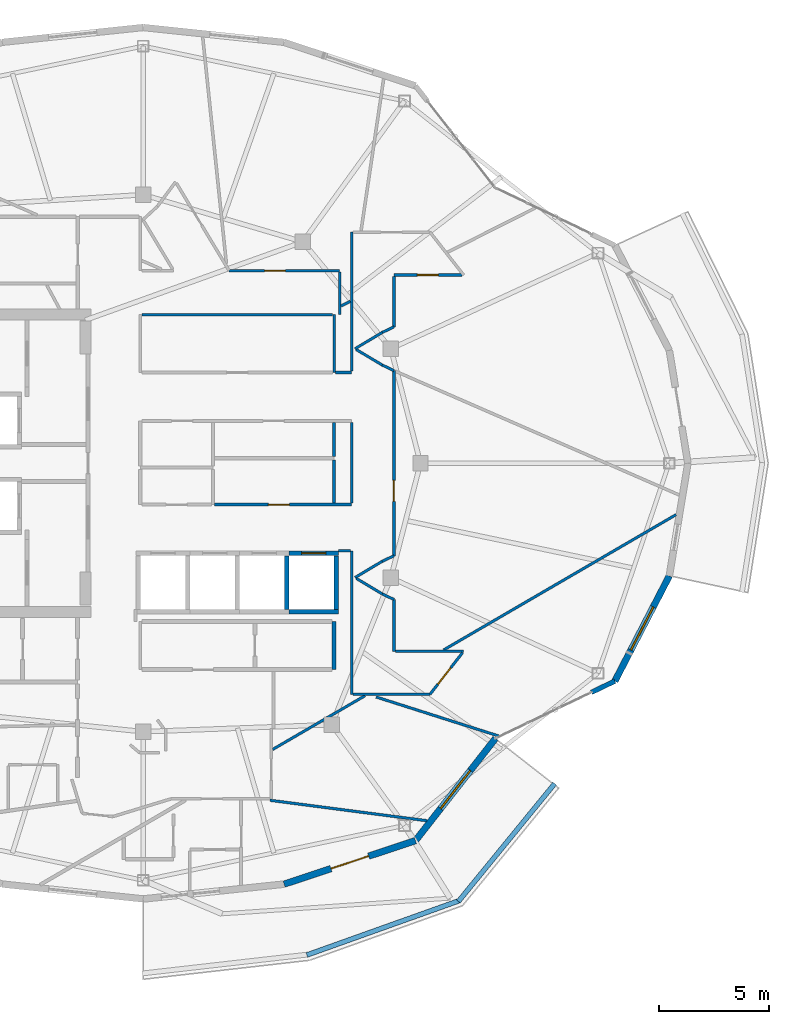
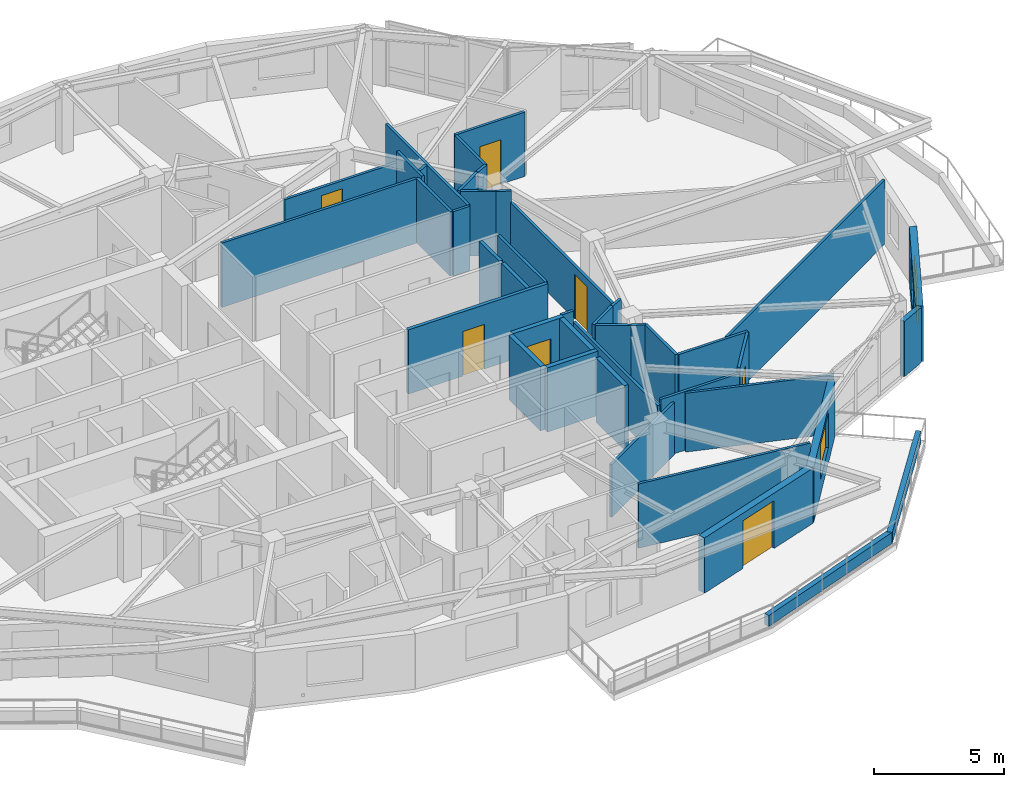
# One storey, part 9 of 14: 43 walls, 7 doors, 2 windows, 9 openings.
"""IFC4 building model written with IfcOpenShell, lengths in metres."""

import ifcopenshell
import ifcopenshell.guid

model = None  # the IFC model being written
_history = None  # IfcOwnerHistory: only IFC2X3 demands one
_inside = {}  # id of a spatial element -> (the spatial element, [elements in it])
_under = {}  # id of a project, library or spatial element -> (it, [spatial elements below it])
_declared = {}  # id of a project -> (the project, [libraries it declares])
_typed = {}  # id of a type object -> (the type object, [elements of that type])
_made_of = {}  # id of a material, layer set ... -> (it, [elements and type objects made of it])


def new_model(schema):
    """Start an empty IFC model of exactly this schema.

    Asked for "IFC4X3", IfcOpenShell would pick the latest addendum, in which some entities
    have other attributes; the version numbers below select the first issue.
    IFC2X3 requires an IfcOwnerHistory on every rooted entity: one is made here for all.
    """
    global model, _history
    if schema == "IFC4X3":
        model = ifcopenshell.file(schema_version=(4, 3, 0, 0))
    else:
        model = ifcopenshell.file(schema=schema)
    _inside.clear()
    _under.clear()
    _declared.clear()
    _typed.clear()
    _made_of.clear()
    _history = None
    if model.schema == "IFC2X3":
        org = make("IfcOrganization", Name="unknown")
        user = make(
            "IfcPersonAndOrganization",
            ThePerson=make("IfcPerson", FamilyName="unknown"),
            TheOrganization=org,
        )
        app = make(
            "IfcApplication",
            ApplicationDeveloper=org,
            Version="unknown",
            ApplicationFullName="unknown",
            ApplicationIdentifier="unknown",
        )
        _history = make(
            "IfcOwnerHistory",
            OwningUser=user,
            OwningApplication=app,
            ChangeAction="ADDED",
            CreationDate=0,
        )
    return model


def make(cls, **values):
    """One entity of the class cls with the attributes given. An attribute that is None is left unset."""
    return model.create_entity(
        cls, **{name: value for name, value in values.items() if value is not None}
    )


def rooted(cls, **values):
    """An entity with a GlobalId (a new one), such as an element, a storey or a relation."""
    return make(cls, GlobalId=ifcopenshell.guid.new(), OwnerHistory=_history, **values)


def si_unit(unit_type, name, prefix=None):
    """IfcSIUnit, for example si_unit("LENGTHUNIT", "METRE", prefix="MILLI")."""
    return make("IfcSIUnit", UnitType=unit_type, Prefix=prefix, Name=name)


def assignment(units):
    """IfcUnitAssignment: the units of a project."""
    return None if units is None else make("IfcUnitAssignment", Units=units)


def point(xyz):
    """IfcCartesianPoint."""
    return None if xyz is None else make("IfcCartesianPoint", Coordinates=xyz)


def direction(xyz):
    """IfcDirection."""
    return None if xyz is None else make("IfcDirection", DirectionRatios=xyz)


def frame(location, z_axis=None, x_axis=None):
    """IfcAxis2Placement3D, a coordinate frame: its origin and axes. An axis left out is left unset."""
    return make(
        "IfcAxis2Placement3D",
        Location=point(location),
        Axis=direction(z_axis),
        RefDirection=direction(x_axis),
    )


def frame_2d(location, x_axis=None):
    """IfcAxis2Placement2D, a coordinate frame in the plane: its origin and x axis."""
    return make(
        "IfcAxis2Placement2D", Location=point(location), RefDirection=direction(x_axis)
    )


def origin():
    """The frame at (0, 0, 0) with its axes left unset."""
    return frame((0.0, 0.0, 0.0))


def place(relative_to, where):
    """IfcLocalPlacement: puts the frame where relative to a parent placement (None: the world)."""
    return make(
        "IfcLocalPlacement", PlacementRelTo=relative_to, RelativePlacement=where
    )


def context(
    kind, dimensions, precision=None, world=None, true_north=None, identifier=None
):
    """IfcGeometricRepresentationContext, for example the 3D "Model" context."""
    return make(
        "IfcGeometricRepresentationContext",
        ContextIdentifier=identifier,
        ContextType=kind,
        CoordinateSpaceDimension=dimensions,
        Precision=precision,
        WorldCoordinateSystem=world,
        TrueNorth=true_north,
    )


def subcontext(parent, identifier, kind, view, scale=None):
    """IfcGeometricRepresentationSubContext, for example "Body" below "Model"."""
    return make(
        "IfcGeometricRepresentationSubContext",
        ContextIdentifier=identifier,
        ContextType=kind,
        ParentContext=parent,
        TargetScale=scale,
        TargetView=view,
    )


def project(units=None, contexts=None):
    """IfcProject with its units and contexts."""
    return rooted(
        "IfcProject",
        Name="project",
        RepresentationContexts=contexts,
        UnitsInContext=assignment(units),
    )


def spatial(cls, under=None, at=None, **own):
    """A site, building, storey or space (cls), placed at a placement, below another one or the project."""
    s = rooted(cls, ObjectPlacement=at, **own)
    if under is not None:
        _under.setdefault(under.id(), (under, []))[1].append(s)
    return s


def profile(cls, at=None, kind="AREA", **sizes):
    """A parametric profile (cls). Its sizes go by their IFC names, for example OverallWidth=200.0."""
    return make(cls, ProfileType=kind, Position=at, **sizes)


def rectangle(**sizes):
    """IfcRectangleProfileDef."""
    return profile("IfcRectangleProfileDef", **sizes)


def extrude(swept, where, along, depth):
    """IfcExtrudedAreaSolid: the profile swept, set in the frame where, extruded along a direction by depth."""
    return make(
        "IfcExtrudedAreaSolid",
        SweptArea=swept,
        Position=where,
        ExtrudedDirection=direction(along),
        Depth=depth,
    )


def shape(context_of_items, identifier, shape_type, items):
    """IfcShapeRepresentation: the items that make up one representation, for example the "Body"."""
    return make(
        "IfcShapeRepresentation",
        ContextOfItems=context_of_items,
        RepresentationIdentifier=identifier,
        RepresentationType=shape_type,
        Items=items,
    )


def material(Name=None, Category=None):
    """IfcMaterial."""
    return make("IfcMaterial", Name=Name, Category=Category)


def layer(
    of_material, thickness, ventilated=None, Name=None, Category=None, Priority=None
):
    """IfcMaterialLayer: one layer of a wall or slab, of a material (None: an air gap)."""
    return make(
        "IfcMaterialLayer",
        Material=of_material,
        LayerThickness=thickness,
        IsVentilated=ventilated,
        Name=Name,
        Category=Category,
        Priority=Priority,
    )


def layer_set(layers, Name=None):
    """IfcMaterialLayerSet."""
    return make("IfcMaterialLayerSet", MaterialLayers=layers, LayerSetName=Name)


def made_of(thing, what):
    """Note that an element or type object is made of a material, layer set ...; save() writes the relation."""
    if what is not None:
        _made_of.setdefault(what.id(), (what, []))[1].append(thing)
    return thing


def type_object(cls, material=None, **own):
    """A type object (cls), such as IfcWallType, which elements share."""
    return made_of(rooted(cls, **own), material)


def element(
    cls,
    number,
    at=None,
    inside=None,
    cuts=None,
    type_object=None,
    material=None,
    context=None,
    identifier="Body",
    shape_type=None,
    held_by="IfcProductDefinitionShape",
    body=None,
    shapes=None,
    **own,
):
    """One element of the class cls, such as IfcWall. Its Tag is "e" and its number.

    at: its placement. inside: the storey or other place that contains it. cuts: it is an
    opening in that element (IfcRelVoidsElement). A single representation is given by context,
    identifier, shape_type and body (its items); several are given by shapes. held_by: the class
    of the entity that holds the representations. save() writes the other relations.
    """
    e = rooted(cls, Tag="e%d" % number, ObjectPlacement=at, **own)
    if body is not None:
        shapes = [shape(context, identifier, shape_type, body)]
    if shapes is not None:
        e.Representation = make(held_by, Representations=shapes)
    if inside is not None:
        _inside.setdefault(inside.id(), (inside, []))[1].append(e)
    if cuts is not None:
        rooted(
            "IfcRelVoidsElement", RelatingBuildingElement=cuts, RelatedOpeningElement=e
        )
    if type_object is not None:
        _typed.setdefault(type_object.id(), (type_object, []))[1].append(e)
    return made_of(e, material)


def fill(opening, filler):
    """IfcRelFillsElement: the door or window that sits in an opening."""
    return rooted(
        "IfcRelFillsElement",
        RelatingOpeningElement=opening,
        RelatedBuildingElement=filler,
    )


def aggregate(whole, parts):
    """IfcRelAggregates: a whole, such as a stair, and the parts it consists of."""
    return rooted("IfcRelAggregates", RelatingObject=whole, RelatedObjects=parts)


def save(model, path):
    """Write the relations noted so far, then the file.

    IfcRelAggregates (storeys below a building ...), IfcRelContainedInSpatialStructure (elements
    in a storey), IfcRelDefinesByType, IfcRelAssociatesMaterial and IfcRelDeclares: one each for
    every whole, place, type object, material and project.
    """
    for whole, parts in _under.values():
        aggregate(whole, parts)
    for where, things in _inside.values():
        rooted(
            "IfcRelContainedInSpatialStructure",
            RelatedElements=things,
            RelatingStructure=where,
        )
    for kind, things in _typed.values():
        rooted("IfcRelDefinesByType", RelatedObjects=things, RelatingType=kind)
    for what, things in _made_of.values():
        rooted("IfcRelAssociatesMaterial", RelatedObjects=things, RelatingMaterial=what)
    for by, libraries in _declared.values():
        rooted("IfcRelDeclares", RelatingContext=by, RelatedDefinitions=libraries)
    model.write(path)


model = new_model("IFC4")

# Units and contexts
model_context = context("Model", 3, precision=1e-05, world=origin(), true_north=direction((0.0, 1.0)))
body_context = subcontext(model_context, "Body", "Model", "MODEL_VIEW")
ifc_project = project(units=[si_unit("LENGTHUNIT", "METRE"), si_unit("AREAUNIT", "SQUARE_METRE"), si_unit("VOLUMEUNIT", "CUBIC_METRE"), si_unit("PLANEANGLEUNIT", "RADIAN"), si_unit("MASSUNIT", "GRAM", prefix="KILO")], contexts=[model_context])

# Site, building, storey
site_placement = place(None, origin())
site = spatial("IfcSite", under=ifc_project, at=site_placement, CompositionType="ELEMENT")
building_placement = place(site_placement, origin())
building = spatial("IfcBuilding", under=site, at=building_placement, Name="Kolvaren Gate Tower and Convention Centre", CompositionType="ELEMENT")
storey_placement = place(building_placement, frame((0.0, 0.0, 232.699951171875)))
storey = spatial("IfcBuildingStorey", under=building, at=storey_placement, Name="L62", CompositionType="ELEMENT", Elevation=232.699951171875)

# Walls
ifc_material_1 = material(Name="Autoclaved Aerated Masonry Blockwork Class 4 (4.0 MPa)", Category="masonry")
ifc_layer_1 = layer(ifc_material_1, 0.179931640625)
ifc_layer_set_1 = layer_set([ifc_layer_1], Name="Autoclaved Aerated Masonry Blockwork Class 4 (4.0 MPa)")
wall_type_1 = type_object("IfcWallType", Name="ARCH-WL-COMP-180", PredefinedType="SOLIDWALL", material=ifc_layer_set_1)
wall_1_placement = place(storey_placement, frame((38.800048828125, 17.6201171875, 0.0), z_axis=(0.0, 0.0, 1.0), x_axis=(0.0, 1.0, 0.0)))
element("IfcWall", 1, at=wall_1_placement, inside=storey, type_object=wall_type_1, Name="Interior Partition WL-L62-INT-025", PredefinedType="SOLIDWALL", context=body_context, shape_type="SweptSolid", body=[
    extrude(rectangle(XDim=2.179931640625, YDim=0.179931640625, at=frame_2d((1.08984375, 0.0))), origin(), (0.0, 0.0, 1.0), 3.030029296875),
])
ifc_material_2 = material(Name="Fire-Rated Acoustic Gypsum Stud Partition", Category="gypsum")
ifc_layer_2 = layer(ifc_material_2, 0.1201171875)
ifc_layer_set_2 = layer_set([ifc_layer_2], Name="Fire-Rated Acoustic Gypsum Stud Partition")
wall_type_2 = type_object("IfcWallType", Name="ARCH-WL-PART-120", PredefinedType="PARTITIONING", material=ifc_layer_set_2)
wall_2_placement = place(storey_placement, frame((38.800048828125, 31.1201171875, 0.0), z_axis=(0.0, 0.0, 1.0), x_axis=(0.0, 1.0, 0.0)))
element("IfcWall", 2, at=wall_2_placement, inside=storey, type_object=wall_type_2, Name="Interior Partition WL-L62-INT-027", PredefinedType="PARTITIONING", context=body_context, shape_type="SweptSolid", body=[
    extrude(rectangle(XDim=2.6298828125, YDim=0.1201171875, at=frame_2d((1.31494140625, 0.0))), origin(), (0.0, 0.0, 1.0), 3.030029296875),
])
wall_3_placement = place(storey_placement, frame((38.862060546875, 31.1201171875, 0.0), z_axis=(0.0, 0.0, 1.0), x_axis=(1.0, 0.0, 0.0)))
element("IfcWall", 3, at=wall_3_placement, inside=storey, type_object=wall_type_2, Name="Interior Partition WL-L62-INT-028 (2)", PredefinedType="PARTITIONING", context=body_context, shape_type="SweptSolid", body=[
    extrude(rectangle(XDim=0.738037109375, YDim=0.1201171875, at=frame_2d((0.369140625, 0.0))), origin(), (0.0, 0.0, 1.0), 3.030029296875),
])
wall_4_placement = place(storey_placement, frame((30.06201171875, 33.75, 0.0), z_axis=(0.0, 0.0, 1.0), x_axis=(1.0, 0.0, 0.0)))
element("IfcWall", 4, at=wall_4_placement, inside=storey, type_object=wall_type_2, Name="Interior Partition WL-L62-INT-029", PredefinedType="PARTITIONING", context=body_context, shape_type="SweptSolid", body=[
    extrude(rectangle(XDim=8.676025390625, YDim=0.1201171875, at=frame_2d((4.337890625, 0.0))), origin(), (0.0, 0.0, 1.0), 3.030029296875),
])

# Wall, opening, door
wall_5_placement = place(storey_placement, frame((34.02490234375, 35.75, 0.0), z_axis=(0.0, 0.0, 1.0), x_axis=(1.0, 0.0, 0.0)))
wall_5 = element("IfcWall", 5, at=wall_5_placement, inside=storey, type_object=wall_type_2, Name="Interior Partition WL-L62-INT-037", PredefinedType="PARTITIONING", context=body_context, shape_type="SweptSolid", body=[
    extrude(rectangle(XDim=5.025146484375, YDim=0.1201171875, at=frame_2d((2.5126953125, 0.0))), origin(), (0.0, 0.0, 1.0), 2.47802734375),
])
opening_1_placement = place(wall_5_placement, frame((1.617431640625, 0.0, 0.0)))
opening_1 = element("IfcOpeningElement", 6, at=opening_1_placement, cuts=wall_5, Name="Opening DR-01", PredefinedType="OPENING", context=body_context, shape_type="SweptSolid", body=[
    extrude(rectangle(XDim=0.949951171875, YDim=2.10009765625, at=frame_2d((0.47509765625, 1.050048828125))), frame((0.0, 0.070068359375, 0.0), z_axis=(0.0, -1.0, 0.0), x_axis=(1.0, 0.0, 0.0)), (0.0, 0.0, 1.0), 0.14013671875),
])
ifc_material_3 = material(Name="Painted Architectural Steelwork ASTM A500 Grade C 345 MPa", Category="steel")
door_type_1 = type_object("IfcDoorType", Name="ARCH-DR-RISER-950", OperationType="SINGLE_SWING_RIGHT", PredefinedType="DOOR", material=ifc_material_3)
door_1_placement = place(opening_1_placement, origin())
door_1 = element("IfcDoor", 7, at=door_1_placement, inside=storey, type_object=door_type_1, Name="Resident Private Study Door", OperationType="SINGLE_SWING_RIGHT", OverallHeight=2.10009765625, OverallWidth=0.949951171875, PredefinedType="DOOR", context=body_context, shape_type="SweptSolid", body=[
    extrude(rectangle(XDim=0.949951171875, YDim=2.10009765625, at=frame_2d((0.47509765625, 1.050048828125))), frame((0.0, 0.02490234375, 0.0), z_axis=(0.0, -1.0, 0.0), x_axis=(1.0, 0.0, 0.0)), (0.0, 0.0, 1.0), 0.050048828125),
])
fill(opening_1, door_1)

# Walls
wall_6_placement = place(storey_placement, frame((39.050048828125, 33.75, 0.0), z_axis=(0.0, 0.0, 1.0), x_axis=(0.0, 1.0, 0.0)))
element("IfcWall", 8, at=wall_6_placement, inside=storey, type_object=wall_type_2, Name="Interior Partition WL-L62-INT-042", PredefinedType="PARTITIONING", context=body_context, shape_type="SweptSolid", body=[
    extrude(rectangle(XDim=1.93798828125, YDim=0.1201171875, at=frame_2d((0.968994140625, 0.0))), origin(), (0.0, 0.0, 1.0), 3.030029296875),
])
wall_7_placement = place(storey_placement, frame((39.60009765625, 16.5, 0.0), z_axis=(0.0, 0.0, 1.0), x_axis=(0.0, 1.0, 0.0)))
element("IfcWall", 9, at=wall_7_placement, inside=storey, type_object=wall_type_2, Name="Interior Partition WL-L62-INT-043", PredefinedType="PARTITIONING", context=body_context, shape_type="SweptSolid", body=[
    extrude(rectangle(XDim=6.52001953125, YDim=0.1201171875, at=frame_2d((3.260009765625, 0.0))), origin(), (0.0, 0.0, 1.0), 2.47802734375),
])
wall_8_placement = place(storey_placement, frame((39.60009765625, 25.197021484375, 0.0), z_axis=(0.0, 0.0, 1.0), x_axis=(0.0, 1.0, 0.0)))
element("IfcWall", 10, at=wall_8_placement, inside=storey, type_object=wall_type_2, Name="Interior Partition WL-L62-INT-044", PredefinedType="PARTITIONING", context=body_context, shape_type="SweptSolid", body=[
    extrude(rectangle(XDim=3.64599609375, YDim=0.1201171875, at=frame_2d((1.822998046875, 0.0))), origin(), (0.0, 0.0, 1.0), 3.030029296875),
])
wall_9_placement = place(storey_placement, frame((39.60009765625, 31.181884765625, 0.0), z_axis=(0.0, 0.0, 1.0), x_axis=(0.0, 1.0, 0.0)))
element("IfcWall", 11, at=wall_9_placement, inside=storey, type_object=wall_type_2, Name="Interior Partition WL-L62-INT-045", PredefinedType="PARTITIONING", context=body_context, shape_type="SweptSolid", body=[
    extrude(rectangle(XDim=6.318115234375, YDim=0.1201171875, at=frame_2d((3.1591796875, 0.0))), origin(), (0.0, 0.0, 1.0), 3.030029296875),
])

# Wall, opening, door
wall_10_placement = place(storey_placement, frame((41.52001953125, 35.550048828125, 0.0), z_axis=(0.0, 0.0, 1.0), x_axis=(1.0, 0.0, 0.0)))
wall_10 = element("IfcWall", 12, at=wall_10_placement, inside=storey, type_object=wall_type_2, Name="Interior Partition WL-L62-INT-048", PredefinedType="PARTITIONING", context=body_context, shape_type="SweptSolid", body=[
    extrude(rectangle(XDim=3.085205078125, YDim=0.1201171875, at=frame_2d((1.54248046875, 0.0))), origin(), (0.0, 0.0, 1.0), 3.030029296875),
])
opening_2_placement = place(wall_10_placement, frame((1.067626953125, 0.0, 0.0)))
opening_2 = element("IfcOpeningElement", 13, at=opening_2_placement, cuts=wall_10, Name="Opening DR-01", PredefinedType="OPENING", context=body_context, shape_type="SweptSolid", body=[
    extrude(rectangle(XDim=0.949951171875, YDim=2.10009765625, at=frame_2d((0.47509765625, 1.050048828125))), frame((0.0, 0.070068359375, 0.0), z_axis=(0.0, -1.0, 0.0), x_axis=(1.0, 0.0, 0.0)), (0.0, 0.0, 1.0), 0.14013671875),
])
door_2_placement = place(opening_2_placement, origin())
door_2 = element("IfcDoor", 14, at=door_2_placement, inside=storey, type_object=door_type_1, Name="Resident Private Study and Home Office Door", OperationType="SINGLE_SWING_RIGHT", OverallHeight=2.10009765625, OverallWidth=0.949951171875, PredefinedType="DOOR", context=body_context, shape_type="SweptSolid", body=[
    extrude(rectangle(XDim=0.949951171875, YDim=2.10009765625, at=frame_2d((0.47509765625, 1.050048828125))), frame((0.0, 0.02490234375, 0.0), z_axis=(0.0, -1.0, 0.0), x_axis=(1.0, 0.0, 0.0)), (0.0, 0.0, 1.0), 0.050048828125),
])
fill(opening_2, door_2)

# Wall
wall_11_placement = place(storey_placement, frame((41.52001953125, 18.449951171875, 0.0), z_axis=(0.0, 0.0, 1.0), x_axis=(0.0, 1.0, 0.0)))
element("IfcWall", 15, at=wall_11_placement, inside=storey, type_object=wall_type_2, Name="Interior Partition WL-L62-INT-049", PredefinedType="PARTITIONING", context=body_context, shape_type="SweptSolid", body=[
    extrude(rectangle(XDim=2.35693359375, YDim=0.1201171875, at=frame_2d((1.178466796875, 0.0))), origin(), (0.0, 0.0, 1.0), 3.030029296875),
])

# Wall, opening, door
wall_12_placement = place(storey_placement, frame((41.52001953125, 22.7939453125, 0.0), z_axis=(0.0, 0.0, 1.0), x_axis=(0.0, 1.0, 0.0)))
wall_12 = element("IfcWall", 16, at=wall_12_placement, inside=storey, type_object=wall_type_2, Name="Interior Partition WL-L62-INT-050", PredefinedType="PARTITIONING", context=body_context, shape_type="SweptSolid", body=[
    extrude(rectangle(XDim=8.4130859375, YDim=0.1201171875, at=frame_2d((4.20654296875, 0.0))), origin(), (0.0, 0.0, 1.0), 2.47802734375),
])
opening_3_placement = place(wall_12_placement, frame((2.471435546875, 0.0, 0.0)))
opening_3 = element("IfcOpeningElement", 17, at=opening_3_placement, cuts=wall_12, Name="Opening DR-01", PredefinedType="OPENING", context=body_context, shape_type="SweptSolid", body=[
    extrude(rectangle(XDim=0.949951171875, YDim=2.10009765625, at=frame_2d((0.47509765625, 1.050048828125))), frame((0.0, 0.070068359375, 0.0), z_axis=(0.0, -1.0, 0.0), x_axis=(1.0, 0.0, 0.0)), (0.0, 0.0, 1.0), 0.14013671875),
])
door_3_placement = place(opening_3_placement, origin())
door_3 = element("IfcDoor", 18, at=door_3_placement, inside=storey, type_object=door_type_1, Name="Resident Quiet Study Office Door", OperationType="SINGLE_SWING_LEFT", OverallHeight=2.10009765625, OverallWidth=0.949951171875, PredefinedType="DOOR", context=body_context, shape_type="SweptSolid", body=[
    extrude(rectangle(XDim=0.949951171875, YDim=2.10009765625, at=frame_2d((0.47509765625, 1.050048828125))), frame((0.0, 0.02490234375, 0.0), z_axis=(0.0, -1.0, 0.0), x_axis=(1.0, 0.0, 0.0)), (0.0, 0.0, 1.0), 0.050048828125),
])
fill(opening_3, door_3)

# Walls
wall_13_placement = place(storey_placement, frame((41.52001953125, 33.193115234375, 0.0), z_axis=(0.0, 0.0, 1.0), x_axis=(0.0, 1.0, 0.0)))
element("IfcWall", 19, at=wall_13_placement, inside=storey, type_object=wall_type_2, Name="Interior Partition WL-L62-INT-051", PredefinedType="PARTITIONING", context=body_context, shape_type="SweptSolid", body=[
    extrude(rectangle(XDim=2.294921875, YDim=0.1201171875, at=frame_2d((1.1474609375, 0.0))), origin(), (0.0, 0.0, 1.0), 3.030029296875),
])
wall_14_placement = place(storey_placement, frame((40.986083984375, 32.93994140625, 0.0), z_axis=(0.0, 0.0, 1.0), x_axis=(0.90356951601, 0.428441512621, 0.0)))
element("IfcWall", 20, at=wall_14_placement, inside=storey, type_object=wall_type_2, Name="Interior Partition WL-L62-INT-052", PredefinedType="PARTITIONING", context=body_context, shape_type="SweptSolid", body=[
    extrude(rectangle(XDim=0.5908203125, YDim=0.1201171875, at=frame_2d((0.29541015625, 0.0))), origin(), (0.0, 0.0, 1.0), 3.030029296875),
])
wall_15_placement = place(storey_placement, frame((39.75, 32.198974609375, 0.0), z_axis=(0.0, 0.0, 1.0), x_axis=(0.857702120906, 0.514146935996, 0.0)))
element("IfcWall", 21, at=wall_15_placement, inside=storey, type_object=wall_type_2, Name="Interior Partition WL-L62-INT-053", PredefinedType="PARTITIONING", context=body_context, shape_type="SweptSolid", body=[
    extrude(rectangle(XDim=1.441162109375, YDim=0.1201171875, at=frame_2d((0.720703125, 0.0))), origin(), (0.0, 0.0, 1.0), 3.030029296875),
])
wall_16_placement = place(storey_placement, frame((39.810302734375, 32.162841796875, 0.0), z_axis=(0.0, 0.0, 1.0), x_axis=(0.858011245414, -0.513630901273, 0.0)))
element("IfcWall", 22, at=wall_16_placement, inside=storey, type_object=wall_type_2, Name="Interior Partition WL-L62-INT-054", PredefinedType="PARTITIONING", context=body_context, shape_type="SweptSolid", body=[
    extrude(rectangle(XDim=1.370361328125, YDim=0.1201171875, at=frame_2d((0.68505859375, 0.0))), origin(), (0.0, 0.0, 1.0), 3.030029296875),
])
wall_17_placement = place(storey_placement, frame((40.986083984375, 31.458984375, 0.0), z_axis=(0.0, 0.0, 1.0), x_axis=(0.903687141457, -0.428193356283, 0.0)))
element("IfcWall", 23, at=wall_17_placement, inside=storey, type_object=wall_type_2, Name="Interior Partition WL-L62-INT-055", PredefinedType="PARTITIONING", context=body_context, shape_type="SweptSolid", body=[
    extrude(rectangle(XDim=0.58837890625, YDim=0.1201171875, at=frame_2d((0.294189453125, 0.0))), origin(), (0.0, 0.0, 1.0), 3.030029296875),
])
wall_18_placement = place(storey_placement, frame((40.986083984375, 22.541015625, 0.0), z_axis=(0.0, 0.0, 1.0), x_axis=(0.903729424576, 0.428104107847, 0.0)))
element("IfcWall", 24, at=wall_18_placement, inside=storey, type_object=wall_type_2, Name="Interior Partition WL-L62-INT-056", PredefinedType="PARTITIONING", context=body_context, shape_type="SweptSolid", body=[
    extrude(rectangle(XDim=0.5908203125, YDim=0.1201171875, at=frame_2d((0.29541015625, 0.0))), origin(), (0.0, 0.0, 1.0), 3.030029296875),
])
wall_19_placement = place(storey_placement, frame((39.75, 21.800048828125, 0.0), z_axis=(0.0, 0.0, 1.0), x_axis=(0.857702120906, 0.514146935996, 0.0)))
element("IfcWall", 25, at=wall_19_placement, inside=storey, type_object=wall_type_2, Name="Interior Partition WL-L62-INT-057", PredefinedType="PARTITIONING", context=body_context, shape_type="SweptSolid", body=[
    extrude(rectangle(XDim=1.441162109375, YDim=0.1201171875, at=frame_2d((0.720703125, 0.0))), origin(), (0.0, 0.0, 1.0), 3.030029296875),
])
wall_20_placement = place(storey_placement, frame((39.810302734375, 21.763916015625, 0.0), z_axis=(0.0, 0.0, 1.0), x_axis=(0.858011245414, -0.513630901273, 0.0)))
element("IfcWall", 26, at=wall_20_placement, inside=storey, type_object=wall_type_2, Name="Interior Partition WL-L62-INT-058", PredefinedType="PARTITIONING", context=body_context, shape_type="SweptSolid", body=[
    extrude(rectangle(XDim=1.370361328125, YDim=0.1201171875, at=frame_2d((0.68505859375, 0.0))), origin(), (0.0, 0.0, 1.0), 3.030029296875),
])
wall_21_placement = place(storey_placement, frame((40.986083984375, 21.06005859375, 0.0), z_axis=(0.0, 0.0, 1.0), x_axis=(0.90356951601, -0.428441512621, 0.0)))
element("IfcWall", 27, at=wall_21_placement, inside=storey, type_object=wall_type_2, Name="Interior Partition WL-L62-INT-059", PredefinedType="PARTITIONING", context=body_context, shape_type="SweptSolid", body=[
    extrude(rectangle(XDim=0.5908203125, YDim=0.1201171875, at=frame_2d((0.29541015625, 0.0))), origin(), (0.0, 0.0, 1.0), 3.030029296875),
])
wall_22_placement = place(storey_placement, frame((41.58203125, 18.449951171875, 0.0), z_axis=(0.0, 0.0, 1.0), x_axis=(1.0, 0.0, 0.0)))
element("IfcWall", 28, at=wall_22_placement, inside=storey, type_object=wall_type_2, Name="Interior Partition WL-L62-INT-060", PredefinedType="PARTITIONING", context=body_context, shape_type="SweptSolid", body=[
    extrude(rectangle(XDim=3.10205078125, YDim=0.1201171875, at=frame_2d((1.551025390625, 0.0))), origin(), (0.0, 0.0, 1.0), 3.030029296875),
])

# Wall, opening, door
wall_23_placement = place(storey_placement, frame((43.156982421875, 16.5, 0.0), z_axis=(0.0, 0.0, 1.0), x_axis=(0.616566276607, 0.787303008092, 0.0)))
wall_23 = element("IfcWall", 29, at=wall_23_placement, inside=storey, type_object=wall_type_2, Name="Interior Partition WL-L62-INT-061", PredefinedType="PARTITIONING", context=body_context, shape_type="SweptSolid", body=[
    extrude(rectangle(XDim=2.39794921875, YDim=0.1201171875, at=frame_2d((1.198974609375, 0.0))), origin(), (0.0, 0.0, 1.0), 3.030029296875),
])
opening_4_placement = place(wall_23_placement, frame((0.583984375, 0.0, 0.0)))
opening_4 = element("IfcOpeningElement", 30, at=opening_4_placement, cuts=wall_23, Name="Opening DR-01", PredefinedType="OPENING", context=body_context, shape_type="SweptSolid", body=[
    extrude(rectangle(XDim=0.949951171875, YDim=2.10009765625, at=frame_2d((0.47509765625, 1.050048828125))), frame((0.0, 0.070068359375, 0.0), z_axis=(0.0, -1.0, 0.0), x_axis=(1.0, 0.0, 0.0)), (0.0, 0.0, 1.0), 0.14013671875),
])
door_4_placement = place(opening_4_placement, origin())
door_4 = element("IfcDoor", 31, at=door_4_placement, inside=storey, type_object=door_type_1, Name="Resident Private Study Door", OperationType="SINGLE_SWING_RIGHT", OverallHeight=2.10009765625, OverallWidth=0.949951171875, PredefinedType="DOOR", context=body_context, shape_type="SweptSolid", body=[
    extrude(rectangle(XDim=0.949951171875, YDim=2.10009765625, at=frame_2d((0.47509765625, 1.050048828125))), frame((0.0, 0.02490234375, 0.0), z_axis=(0.0, -1.0, 0.0), x_axis=(1.0, 0.0, 0.0)), (0.0, 0.0, 1.0), 0.050048828125),
])
fill(opening_4, door_4)

# Walls
wall_24_placement = place(storey_placement, frame((39.662109375, 16.5, 0.0), z_axis=(0.0, 0.0, 1.0), x_axis=(1.0, 0.0, 0.0)))
element("IfcWall", 32, at=wall_24_placement, inside=storey, type_object=wall_type_2, Name="Interior Partition WL-L62-INT-062", PredefinedType="PARTITIONING", context=body_context, shape_type="SweptSolid", body=[
    extrude(rectangle(XDim=3.494873046875, YDim=0.1201171875, at=frame_2d((1.74755859375, 0.0))), origin(), (0.0, 0.0, 1.0), 2.77001953125),
])
wall_25_placement = place(storey_placement, frame((39.0, 23.02001953125, 0.0), z_axis=(0.0, 0.0, 1.0), x_axis=(1.0, 0.0, 0.0)))
element("IfcWall", 33, at=wall_25_placement, inside=storey, type_object=wall_type_2, Name="Interior Partition WL-L62-INT-063", PredefinedType="PARTITIONING", context=body_context, shape_type="SweptSolid", body=[
    extrude(rectangle(XDim=0.5380859375, YDim=0.1201171875, at=frame_2d((0.26904296875, 0.0))), origin(), (0.0, 0.0, 1.0), 3.030029296875),
])
wall_26_placement = place(storey_placement, frame((36.011962890625, 13.994873046875, 0.0), z_axis=(0.0, 0.0, 1.0), x_axis=(0.864278013608, 0.503014428415, 0.0)))
element("IfcWall", 34, at=wall_26_placement, inside=storey, type_object=wall_type_2, Name="Interior Partition WL-L62-INT-085", PredefinedType="PARTITIONING", context=body_context, shape_type="SweptSolid", body=[
    extrude(rectangle(XDim=4.85693359375, YDim=0.1201171875, at=frame_2d((2.428466796875, 0.0))), origin(), (0.0, 0.0, 1.0), 2.47802734375),
])
wall_27_placement = place(storey_placement, frame((43.77294921875, 18.511962890625, 0.0), z_axis=(0.0, 0.0, 1.0), x_axis=(0.864261022419, 0.503043621495, 0.0)))
element("IfcWall", 35, at=wall_27_placement, inside=storey, type_object=wall_type_2, Name="Interior Partition WL-L62-INT-086", PredefinedType="PARTITIONING", context=body_context, shape_type="SweptSolid", body=[
    extrude(rectangle(XDim=12.221923828125, YDim=0.1201171875, at=frame_2d((6.11083984375, 0.0))), origin(), (0.0, 0.0, 1.0), 3.030029296875),
])
wall_28_placement = place(storey_placement, frame((35.887939453125, 11.68408203125, 0.0), z_axis=(0.0, 0.0, 1.0), x_axis=(0.991622750781, -0.129167798358, 0.0)))
element("IfcWall", 36, at=wall_28_placement, inside=storey, type_object=wall_type_2, Name="Interior Partition WL-L62-INT-093", PredefinedType="PARTITIONING", context=body_context, shape_type="SweptSolid", body=[
    extrude(rectangle(XDim=7.186279296875, YDim=0.1201171875, at=frame_2d((3.59326171875, 0.0))), origin(), (0.0, 0.0, 1.0), 3.030029296875),
])
wall_29_placement = place(storey_placement, frame((40.709228515625, 16.3779296875, 0.0), z_axis=(0.0, 0.0, 1.0), x_axis=(0.952839371161, -0.303475094144, 0.0)))
element("IfcWall", 37, at=wall_29_placement, inside=storey, type_object=wall_type_2, Name="Interior Partition WL-L62-INT-094", PredefinedType="PARTITIONING", context=body_context, shape_type="SweptSolid", body=[
    extrude(rectangle(XDim=5.865478515625, YDim=0.1201171875, at=frame_2d((2.9326171875, 0.0))), origin(), (0.0, 0.0, 1.0), 2.77001953125),
])
wall_30_placement = place(storey_placement, frame((39.112060546875, 34.13671875, 0.0), z_axis=(0.0, 0.0, 1.0), x_axis=(0.892681104984, 0.450688855869, 0.0)))
element("IfcWall", 38, at=wall_30_placement, inside=storey, type_object=wall_type_2, Name="Interior Partition WL-L62-INT-098", PredefinedType="PARTITIONING", context=body_context, shape_type="SweptSolid", body=[
    extrude(rectangle(XDim=0.477294921875, YDim=0.1201171875, at=frame_2d((0.23876953125, 0.0))), origin(), (0.0, 0.0, 1.0), 3.030029296875),
])
ifc_material_4 = material(Name="Bogota Sabana Bush-Hammered Sandstone Cladding", Category="masonry")
ifc_layer_3 = layer(ifc_material_4, 0.219970703125)
ifc_layer_set_3 = layer_set([ifc_layer_3], Name="Bogota Sabana Bush-Hammered Sandstone Cladding")
wall_type_3 = type_object("IfcWallType", Name="ARCH-WL-PIER-220", PredefinedType="SOLIDWALL", material=ifc_layer_set_3)
wall_31_placement = place(storey_placement, frame((50.494140625, 16.58837890625, 0.0), z_axis=(0.0, 0.0, 1.0), x_axis=(0.901342408365, 0.433107218692, 0.0)))
element("IfcWall", 39, at=wall_31_placement, inside=storey, type_object=wall_type_3, Name="Tower L62 Unitised Curtain Wall CW-RES-UNIT Bay 21 Right Column Pier Wrap", PredefinedType="SOLIDWALL", context=body_context, shape_type="SweptSolid", body=[
    extrude(rectangle(XDim=1.181396484375, YDim=0.219970703125, at=frame_2d((0.5908203125, 0.0))), origin(), (0.0, 0.0, 1.0), 2.60498046875),
])
ifc_material_5 = material(Name="Piedmont Cream Honed Limestone Cladding", Category="masonry")
ifc_layer_4 = layer(ifc_material_5, 0.219970703125)
ifc_layer_set_4 = layer_set([ifc_layer_4], Name="Piedmont Cream Honed Limestone Cladding")
wall_type_4 = type_object("IfcWallType", Name="ARCH-WL-PLANTER-220", PredefinedType="PARAPET", material=ifc_layer_set_4)
wall_32_placement = place(storey_placement, frame((37.564697265625, 4.65283203125, 0.0), z_axis=(0.0, 0.0, 1.0), x_axis=(0.941780086523, 0.336229488042, 0.0)))
element("IfcWall", 40, at=wall_32_placement, inside=storey, type_object=wall_type_4, Name="Vertical-Forest Balcony Stone Planter Kerb PK-L62-3.2", PredefinedType="PARAPET", context=body_context, shape_type="SweptSolid", body=[
    extrude(rectangle(XDim=7.3779296875, YDim=0.219970703125, at=frame_2d((3.68896484375, 0.0))), origin(), (0.0, 0.0, 1.0), 0.52001953125),
])
wall_33_placement = place(storey_placement, frame((44.4482421875, 7.087158203125, 0.0), z_axis=(0.0, 0.0, 1.0), x_axis=(0.632697312147, 0.774399193699, 0.0)))
element("IfcWall", 41, at=wall_33_placement, inside=storey, type_object=wall_type_4, Name="Vertical-Forest Balcony Stone Planter Kerb PK-L62-3.3", PredefinedType="PARAPET", context=body_context, shape_type="SweptSolid", body=[
    extrude(rectangle(XDim=6.9140625, YDim=0.219970703125, at=frame_2d((3.45703125, 0.0))), origin(), (0.0, 0.0, 1.0), 0.52001953125),
])
ifc_layer_5 = layer(ifc_material_1, 0.199951171875)
ifc_layer_set_5 = layer_set([ifc_layer_5], Name="Autoclaved Aerated Masonry Blockwork Class 4 (4.0 MPa)")
wall_type_5 = type_object("IfcWallType", Name="ARCH-WL-SHAFT-200", PredefinedType="SOLIDWALL", material=ifc_layer_set_5)
wall_34_placement = place(storey_placement, frame((36.64990234375, 20.360107421875, 0.0), z_axis=(0.0, 0.0, 1.0), x_axis=(0.0, 1.0, 0.0)))
element("IfcWall", 42, at=wall_34_placement, inside=storey, type_object=wall_type_5, Name="Elevator PL-11 L62 Fire Shaft Wall E", PredefinedType="SOLIDWALL", context=body_context, shape_type="SweptSolid", body=[
    extrude(rectangle(XDim=2.429931640625, YDim=0.199951171875, at=frame_2d((1.21484375, 0.0))), origin(), (0.0, 0.0, 1.0), 3.030029296875),
])

# Wall, opening, door
wall_35_placement = place(storey_placement, frame((36.75, 22.89990234375, 0.0), z_axis=(0.0, 0.0, 1.0), x_axis=(1.0, 0.0, 0.0)))
wall_35 = element("IfcWall", 43, at=wall_35_placement, inside=storey, type_object=wall_type_5, Name="Elevator PL-12 L62 Fire Shaft Wall N", PredefinedType="SOLIDWALL", context=body_context, shape_type="SweptSolid", body=[
    extrude(rectangle(XDim=2.25, YDim=0.199951171875, at=frame_2d((1.125, 0.0))), origin(), (0.0, 0.0, 1.0), 3.030029296875),
])
opening_5_placement = place(wall_35_placement, frame((0.574951171875, 0.0, 0.0)))
opening_5 = element("IfcOpeningElement", 44, at=opening_5_placement, cuts=wall_35, Name="Opening LD", PredefinedType="OPENING", context=body_context, shape_type="SweptSolid", body=[
    extrude(rectangle(XDim=1.10009765625, YDim=2.199951171875, at=frame_2d((0.550048828125, 1.10009765625))), frame((0.0, 0.10986328125, 0.0), z_axis=(0.0, -1.0, 0.0), x_axis=(1.0, 0.0, 0.0)), (0.0, 0.0, 1.0), 0.219970703125),
])
ifc_material_6 = material(Name="Brushed Stainless Steel Grade 316L", Category="steel")
door_type_2 = type_object("IfcDoorType", Name="ARCH-DR-LIFT-1100", OperationType="SLIDING_TO_LEFT", PredefinedType="DOOR", material=ifc_material_6)
door_5_placement = place(opening_5_placement, origin())
door_5 = element("IfcDoor", 45, at=door_5_placement, inside=storey, type_object=door_type_2, Name="Elevator PL-12 L62 Sliding Landing Door", OperationType="SLIDING_TO_LEFT", OverallHeight=2.199951171875, OverallWidth=1.10009765625, PredefinedType="DOOR", context=body_context, shape_type="SweptSolid", body=[
    extrude(rectangle(XDim=1.10009765625, YDim=2.199951171875, at=frame_2d((0.550048828125, 1.10009765625))), frame((0.0, 0.02490234375, 0.0), z_axis=(0.0, -1.0, 0.0), x_axis=(1.0, 0.0, 0.0)), (0.0, 0.0, 1.0), 0.050048828125),
])
fill(opening_5, door_5)

# Walls
wall_36_placement = place(storey_placement, frame((36.75, 20.25, 0.0), z_axis=(0.0, 0.0, 1.0), x_axis=(1.0, 0.0, 0.0)))
element("IfcWall", 46, at=wall_36_placement, inside=storey, type_object=wall_type_5, Name="Elevator PL-12 L62 Fire Shaft Wall S", PredefinedType="SOLIDWALL", context=body_context, shape_type="SweptSolid", body=[
    extrude(rectangle(XDim=2.25, YDim=0.199951171875, at=frame_2d((1.125, 0.0))), origin(), (0.0, 0.0, 1.0), 3.030029296875),
])
wall_37_placement = place(storey_placement, frame((38.89990234375, 20.360107421875, 0.0), z_axis=(0.0, 0.0, 1.0), x_axis=(0.0, 1.0, 0.0)))
element("IfcWall", 47, at=wall_37_placement, inside=storey, type_object=wall_type_5, Name="Elevator PL-12 L62 Fire Shaft Wall E", PredefinedType="SOLIDWALL", context=body_context, shape_type="SweptSolid", body=[
    extrude(rectangle(XDim=2.429931640625, YDim=0.199951171875, at=frame_2d((1.21484375, 0.0))), origin(), (0.0, 0.0, 1.0), 3.030029296875),
])

# Wall, opening, door
ifc_layer_6 = layer(ifc_material_5, 0.300048828125)
ifc_layer_set_6 = layer_set([ifc_layer_6], Name="Piedmont Cream Honed Limestone Cladding")
wall_type_6 = type_object("IfcWallType", Name="ARCH-WL-STONE-300", PredefinedType="SOLIDWALL", material=ifc_layer_set_6)
wall_38_placement = place(storey_placement, frame((36.53076171875, 7.874755859375, 0.0), z_axis=(0.0, 0.0, 1.0), x_axis=(0.949240877604, 0.314550085495, 0.0)))
wall_38 = element("IfcWall", 48, at=wall_38_placement, inside=storey, type_object=wall_type_6, Name="Tower L62 Honed Stone Spandrel Wall EW-19", PredefinedType="SOLIDWALL", context=body_context, shape_type="SweptSolid", body=[
    extrude(rectangle(XDim=6.288330078125, YDim=0.300048828125, at=frame_2d((3.14404296875, 0.0))), origin(), (0.0, 0.0, 1.0), 2.60498046875),
])
opening_6_placement = place(wall_38_placement, frame((2.243896484375, 0.0, 0.0)))
opening_6 = element("IfcOpeningElement", 49, at=opening_6_placement, cuts=wall_38, Name="Opening DB-01", PredefinedType="OPENING", context=body_context, shape_type="SweptSolid", body=[
    extrude(rectangle(XDim=1.800048828125, YDim=2.25, at=frame_2d((0.89990234375, 1.125))), frame((0.0, 0.159912109375, 0.0), z_axis=(0.0, -1.0, 0.0), x_axis=(1.0, 0.0, 0.0)), (0.0, 0.0, 1.0), 0.320068359375),
])
ifc_material_7 = material(Name="Anodized Architectural Aluminium Alloy 6063-T6", Category="aluminium")
door_type_3 = type_object("IfcDoorType", Name="ARCH-DR-BALC-1800", OperationType="SLIDING_TO_LEFT", PredefinedType="DOOR", material=ifc_material_7)
door_6_placement = place(opening_6_placement, frame((1.800048828125, 0.0, 0.0), z_axis=(0.0, 0.0, 1.0), x_axis=(-1.0, 0.0, 0.0)))
door_6 = element("IfcDoor", 50, at=door_6_placement, inside=storey, type_object=door_type_3, Name="Planted Sky Terrace Access Door DB-L62-19", OperationType="SLIDING_TO_LEFT", OverallHeight=2.25, OverallWidth=1.800048828125, PredefinedType="DOOR", context=body_context, shape_type="SweptSolid", body=[
    extrude(rectangle(XDim=1.800048828125, YDim=2.25, at=frame_2d((0.89990234375, 1.125))), frame((0.0, 0.02490234375, 0.0), z_axis=(0.0, -1.0, 0.0), x_axis=(1.0, 0.0, 0.0)), (0.0, 0.0, 1.0), 0.050048828125),
])
fill(opening_6, door_6)

# Wall, opening, window
wall_39_placement = place(storey_placement, frame((42.5, 9.852783203125, 0.0), z_axis=(0.0, 0.0, 1.0), x_axis=(0.616450126935, 0.787393955401, 0.0)))
wall_39 = element("IfcWall", 51, at=wall_39_placement, inside=storey, type_object=wall_type_6, Name="Tower L62 Honed Stone Spandrel Wall EW-20", PredefinedType="SOLIDWALL", context=body_context, shape_type="SweptSolid", body=[
    extrude(rectangle(XDim=5.892822265625, YDim=0.300048828125, at=frame_2d((2.9462890625, 0.0))), origin(), (0.0, 0.0, 1.0), 2.60498046875),
])
opening_7_placement = place(wall_39_placement, frame((1.845947265625, 0.0, 0.719970703125)))
opening_7 = element("IfcOpeningElement", 52, at=opening_7_placement, cuts=wall_39, Name="Opening W-03", PredefinedType="OPENING", context=body_context, shape_type="SweptSolid", body=[
    extrude(rectangle(XDim=2.199951171875, YDim=1.64990234375, at=frame_2d((1.10009765625, 0.824951171875))), frame((0.0, 0.159912109375, 0.0), z_axis=(0.0, -1.0, 0.0), x_axis=(1.0, 0.0, 0.0)), (0.0, 0.0, 1.0), 0.320068359375),
])
ifc_material_8 = material(Name="Low-E Triple Insulated Glazing Unit 44 mm", Category="glass")
window_type = type_object("IfcWindowType", Name="ARCH-WN-RES-2200", PartitioningType="SINGLE_PANEL", PredefinedType="WINDOW", material=ifc_material_8)
window_1_placement = place(opening_7_placement, origin())
window_1 = element("IfcWindow", 53, at=window_1_placement, inside=storey, type_object=window_type, Name="Tower L62 Punched Stone Facade Window W-20", OverallHeight=1.64990234375, OverallWidth=2.199951171875, PartitioningType="SINGLE_PANEL", PredefinedType="WINDOW", context=body_context, shape_type="SweptSolid", body=[
    extrude(rectangle(XDim=2.199951171875, YDim=1.64990234375, at=frame_2d((1.10009765625, 0.824951171875))), frame((0.0, 0.030029296875, 0.0), z_axis=(0.0, -1.0, 0.0), x_axis=(1.0, 0.0, 0.0)), (0.0, 0.0, 1.0), 0.06005859375),
])
fill(opening_7, window_1)

wall_40_placement = place(storey_placement, frame((51.55908203125, 17.10009765625, 0.0), z_axis=(0.0, 0.0, 1.0), x_axis=(0.459808219482, 0.888018243786, 0.0)))
wall_40 = element("IfcWall", 54, at=wall_40_placement, inside=storey, type_object=wall_type_6, Name="Tower L62 Honed Stone Spandrel Wall EW-22", PredefinedType="SOLIDWALL", context=body_context, shape_type="SweptSolid", body=[
    extrude(rectangle(XDim=5.377685546875, YDim=0.300048828125, at=frame_2d((2.68896484375, 0.0))), origin(), (0.0, 0.0, 1.0), 2.60498046875),
])
opening_8_placement = place(wall_40_placement, frame((1.589111328125, 0.0, 0.719970703125)))
opening_8 = element("IfcOpeningElement", 55, at=opening_8_placement, cuts=wall_40, Name="Opening W-03", PredefinedType="OPENING", context=body_context, shape_type="SweptSolid", body=[
    extrude(rectangle(XDim=2.199951171875, YDim=1.64990234375, at=frame_2d((1.10009765625, 0.824951171875))), frame((0.0, 0.159912109375, 0.0), z_axis=(0.0, -1.0, 0.0), x_axis=(1.0, 0.0, 0.0)), (0.0, 0.0, 1.0), 0.320068359375),
])
window_2_placement = place(opening_8_placement, origin())
window_2 = element("IfcWindow", 56, at=window_2_placement, inside=storey, type_object=window_type, Name="Tower L62 Punched Stone Facade Window W-22", OverallHeight=1.64990234375, OverallWidth=2.199951171875, PartitioningType="SINGLE_PANEL", PredefinedType="WINDOW", context=body_context, shape_type="SweptSolid", body=[
    extrude(rectangle(XDim=2.199951171875, YDim=1.64990234375, at=frame_2d((1.10009765625, 0.824951171875))), frame((0.0, 0.030029296875, 0.0), z_axis=(0.0, -1.0, 0.0), x_axis=(1.0, 0.0, 0.0)), (0.0, 0.0, 1.0), 0.06005859375),
])
fill(opening_8, window_2)

# Wall, opening, door
ifc_material_9 = material(Name="Moisture-Resistant Cement-Board Acoustic Partition", Category="gypsum")
ifc_layer_7 = layer(ifc_material_9, 0.14990234375)
ifc_layer_set_7 = layer_set([ifc_layer_7], Name="Moisture-Resistant Cement-Board Acoustic Partition")
wall_type_7 = type_object("IfcWallType", Name="ARCH-WL-WET-150", PredefinedType="PARTITIONING", material=ifc_layer_set_7)
wall_41_placement = place(storey_placement, frame((33.376953125, 25.1201171875, 0.0), z_axis=(0.0, 0.0, 1.0), x_axis=(1.0, 0.0, 0.0)))
wall_41 = element("IfcWall", 57, at=wall_41_placement, inside=storey, type_object=wall_type_7, Name="Interior Partition WL-L62-INT-023 (2)", PredefinedType="PARTITIONING", context=body_context, shape_type="SweptSolid", body=[
    extrude(rectangle(XDim=6.22314453125, YDim=0.14990234375, at=frame_2d((3.111572265625, 0.0))), origin(), (0.0, 0.0, 1.0), 3.030029296875),
])
opening_9_placement = place(wall_41_placement, frame((2.44140625, 0.0, 0.0)))
opening_9 = element("IfcOpeningElement", 58, at=opening_9_placement, cuts=wall_41, Name="Opening DR-01", PredefinedType="OPENING", context=body_context, shape_type="SweptSolid", body=[
    extrude(rectangle(XDim=0.949951171875, YDim=2.10009765625, at=frame_2d((0.47509765625, 1.050048828125))), frame((0.0, 0.0849609375, 0.0), z_axis=(0.0, -1.0, 0.0), x_axis=(1.0, 0.0, 0.0)), (0.0, 0.0, 1.0), 0.169921875),
])
door_7_placement = place(opening_9_placement, origin())
door_7 = element("IfcDoor", 59, at=door_7_placement, inside=storey, type_object=door_type_1, Name="Floor Coffee Pantry Door", OperationType="SINGLE_SWING_RIGHT", OverallHeight=2.10009765625, OverallWidth=0.949951171875, PredefinedType="DOOR", context=body_context, shape_type="SweptSolid", body=[
    extrude(rectangle(XDim=0.949951171875, YDim=2.10009765625, at=frame_2d((0.47509765625, 1.050048828125))), frame((0.0, 0.02490234375, 0.0), z_axis=(0.0, -1.0, 0.0), x_axis=(1.0, 0.0, 0.0)), (0.0, 0.0, 1.0), 0.050048828125),
])
fill(opening_9, door_7)

# Walls
wall_42_placement = place(storey_placement, frame((38.800048828125, 25.197021484375, 0.0), z_axis=(0.0, 0.0, 1.0), x_axis=(0.0, 1.0, 0.0)))
element("IfcWall", 60, at=wall_42_placement, inside=storey, type_object=wall_type_7, Name="Interior Partition WL-L62-INT-026", PredefinedType="PARTITIONING", context=body_context, shape_type="SweptSolid", body=[
    extrude(rectangle(XDim=1.946044921875, YDim=0.14990234375, at=frame_2d((0.97314453125, 0.0))), origin(), (0.0, 0.0, 1.0), 3.030029296875),
])
wall_43_placement = place(storey_placement, frame((38.800048828125, 27.297119140625, 0.0), z_axis=(0.0, 0.0, 1.0), x_axis=(0.0, 1.0, 0.0)))
element("IfcWall", 61, at=wall_43_placement, inside=storey, type_object=wall_type_7, Name="Interior Partition WL-L62-INT-026 (2)", PredefinedType="PARTITIONING", context=body_context, shape_type="SweptSolid", body=[
    extrude(rectangle(XDim=1.5458984375, YDim=0.14990234375, at=frame_2d((0.77294921875, 0.0))), origin(), (0.0, 0.0, 1.0), 3.030029296875),
])

save(model, "model.ifc")
